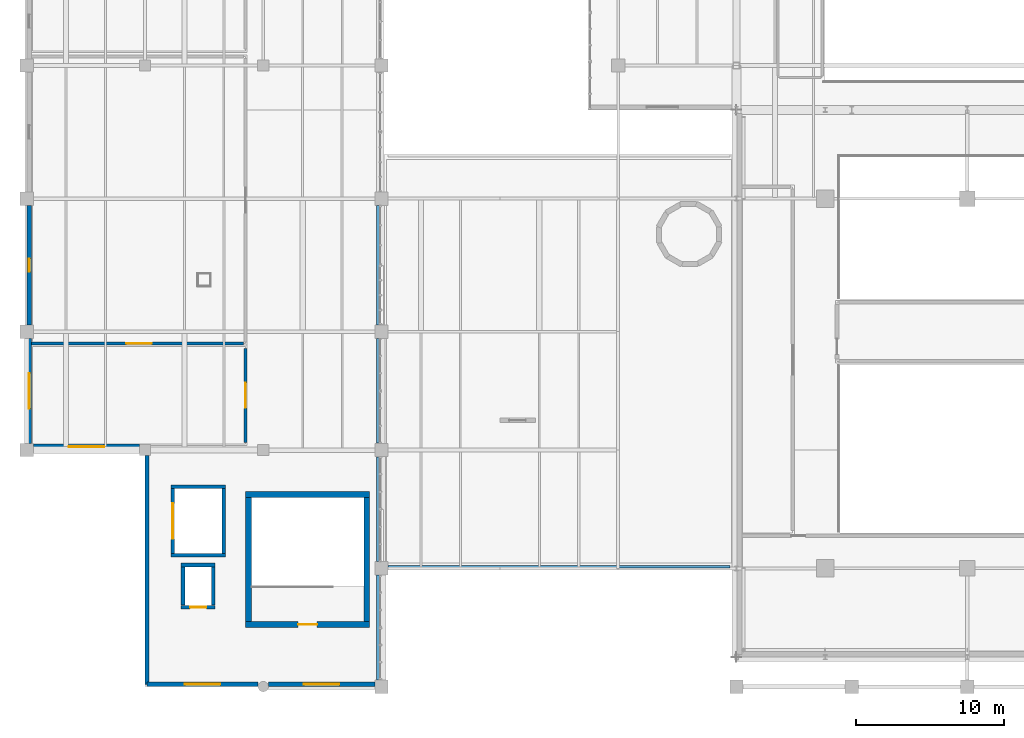
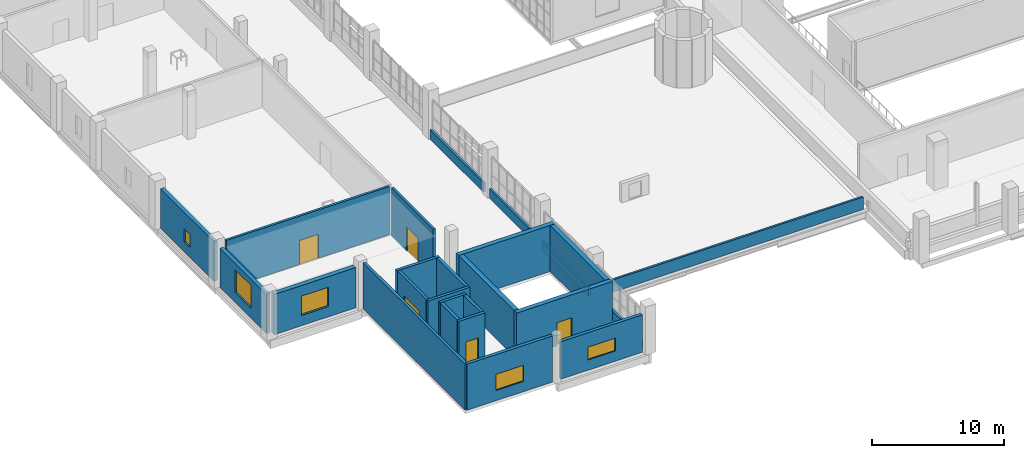
# One storey, part 73 of 85: 25 walls, 5 doors, 5 windows, 10 openings.
"""IFC4 building model written with IfcOpenShell, lengths in metres."""

from ifc_helpers import new_model, si_unit, derived_unit, direction, frame, frame_2d, origin, place, context, subcontext, project, spatial, rectangle, extrude, material, layer, layer_set, type_object, element, fill, save


model = new_model("IFC4")

# Units and contexts
model_context = context("Model", 3, precision=1e-05, world=origin(), true_north=direction((0.0, 1.0)))
body_context = subcontext(model_context, "Body", "Model", "MODEL_VIEW")
ifc_project = project(units=[si_unit("LENGTHUNIT", "METRE"), si_unit("AREAUNIT", "SQUARE_METRE"), si_unit("VOLUMEUNIT", "CUBIC_METRE"), si_unit("PLANEANGLEUNIT", "RADIAN"), si_unit("MASSUNIT", "GRAM", prefix="KILO"), derived_unit("THERMALTRANSMITTANCEUNIT", [(si_unit("POWERUNIT", "WATT"), 1), (si_unit("LENGTHUNIT", "METRE"), -2), (si_unit("THERMODYNAMICTEMPERATUREUNIT", "KELVIN"), -1)])], contexts=[model_context])

# Site, building, storey
site_placement = place(None, origin())
site = spatial("IfcSite", under=ifc_project, at=site_placement, CompositionType="ELEMENT")
building_placement = place(site_placement, origin())
building = spatial("IfcBuilding", under=site, at=building_placement, Name="Nallur Shell Playhouse", CompositionType="ELEMENT")
storey_placement = place(building_placement, frame((0.0, 0.0, 19.800048828125)))
storey = spatial("IfcBuildingStorey", under=building, at=storey_placement, Name="L05", CompositionType="ELEMENT", Elevation=19.800048828125)

# Wall, opening, door
ifc_material_1 = material(Name="Concrete M45", Category="concrete")
ifc_layer_1 = layer(ifc_material_1, 0.39990234375)
ifc_layer_set_1 = layer_set([ifc_layer_1], Name="Concrete M45")
wall_type_1 = type_object("IfcWallType", Name="WL-CORE-400", PredefinedType="SHEAR", material=ifc_layer_set_1)
wall_1_placement = place(storey_placement, frame((30.800048828125, 12.199951171875, 0.0), z_axis=(0.0, 0.0, 1.0), x_axis=(1.0, 0.0, 0.0)))
wall_1 = element("IfcWall", 1, at=wall_1_placement, inside=storey, type_object=wall_type_1, Name="Joint Core JC-1 shear wall S (L05)", PredefinedType="SHEAR", context=body_context, shape_type="SweptSolid", body=[
    extrude(rectangle(XDim=8.39990234375, YDim=0.39990234375, at=frame_2d((4.199951171875, 0.0))), origin(), (0.0, 0.0, 1.0), 4.280029296875),
])
opening_1_placement = place(wall_1_placement, frame((3.550048828125, 0.0, 0.0)))
opening_1 = element("IfcOpeningElement", 2, at=opening_1_placement, cuts=wall_1, Name="Opening FD-ST2", PredefinedType="OPENING", context=body_context, shape_type="SweptSolid", body=[
    extrude(rectangle(XDim=1.300048828125, YDim=2.14990234375, at=frame_2d((0.64990234375, 1.074951171875))), frame((0.0, 0.2099609375, 0.0), z_axis=(0.0, -1.0, 0.0), x_axis=(1.0, 0.0, 0.0)), (0.0, 0.0, 1.0), 0.419921875),
])
ifc_material_2 = material(Name="Galvanised Steel Fire-Rated Stair Door", Category="steel")
door_type_1 = type_object("IfcDoorType", Name="DR-INT-STAIR-R", OperationType="SINGLE_SWING_RIGHT", PredefinedType="DOOR", material=ifc_material_2)
door_1_placement = place(opening_1_placement, origin())
door_1 = element("IfcDoor", 3, at=door_1_placement, inside=storey, type_object=door_type_1, Name="Exit stair ST-01 fire door (L05)", OperationType="SINGLE_SWING_RIGHT", OverallHeight=2.14990234375, OverallWidth=1.300048828125, PredefinedType="DOOR", context=body_context, shape_type="SweptSolid", body=[
    extrude(rectangle(XDim=1.300048828125, YDim=2.14990234375, at=frame_2d((0.64990234375, 1.074951171875))), frame((0.0, 0.02490234375, 0.0), z_axis=(0.0, -1.0, 0.0), x_axis=(1.0, 0.0, 0.0)), (0.0, 0.0, 1.0), 0.050048828125),
])
fill(opening_1, door_1)

# Walls
wall_2_placement = place(storey_placement, frame((39.199951171875, 21.0, 0.0), z_axis=(0.0, 0.0, 1.0), x_axis=(-1.0, 0.0, 0.0)))
element("IfcWall", 4, at=wall_2_placement, inside=storey, type_object=wall_type_1, Name="Joint Core JC-1 shear wall N (L05)", PredefinedType="SHEAR", context=body_context, shape_type="SweptSolid", body=[
    extrude(rectangle(XDim=8.39990234375, YDim=0.39990234375, at=frame_2d((4.199951171875, 0.0))), origin(), (0.0, 0.0, 1.0), 4.280029296875),
])
for number, where, z_axis, x_axis, name in (
    (5, (39.0, 12.409912109375, 0.0), (0.0, 0.0, 1.0), (0.0, 1.0, 0.0), "Joint Core JC-1 shear wall E (L05)"),
    (6, (31.0, 20.7900390625, 0.0), (0.0, 0.0, 1.0), (0.0, -1.0, 0.0), "Joint Core JC-1 shear wall W (L05)"),
):
    element("IfcWall", number, at=place(storey_placement, frame(where, z_axis=z_axis, x_axis=x_axis)), inside=storey, type_object=wall_type_1, Name=name, PredefinedType="SHEAR", context=body_context, shape_type="SweptSolid", body=[
        extrude(rectangle(XDim=8.380126953125, YDim=0.39990234375, at=frame_2d((4.18994140625, 0.0))), origin(), (0.0, 0.0, 1.0), 4.280029296875),
    ])
ifc_material_3 = material(Name="Precast concrete M40", Category="concrete")
ifc_layer_2 = layer(ifc_material_3, 0.239990234375)
ifc_layer_set_2 = layer_set([ifc_layer_2], Name="Precast concrete M40")
wall_type_2 = type_object("IfcWallType", Name="WL-EXT-CLAD240", PredefinedType="ELEMENTEDWALL", material=ifc_layer_set_2)
wall_3_placement = place(storey_placement, frame((24.139892578125, 8.1298828125, 0.0), z_axis=(0.0, 0.0, 1.0), x_axis=(0.0, 1.0, 0.0)))
element("IfcWall", 7, at=wall_3_placement, inside=storey, type_object=wall_type_2, Name="L05 exterior wall EW-L05-229", PredefinedType="ELEMENTEDWALL", context=body_context, shape_type="SweptSolid", body=[
    extrude(rectangle(XDim=15.487060546875, YDim=0.239990234375, at=frame_2d((7.74365234375, 0.0))), origin(), (0.0, 0.0, 1.0), 4.280029296875),
])

# Wall, opening, window
ifc_material_4 = material(Name="Concrete M30", Category="concrete")
ifc_layer_3 = layer(ifc_material_4, 0.280029296875)
ifc_layer_set_3 = layer_set([ifc_layer_3], Name="Concrete M30")
wall_type_3 = type_object("IfcWallType", Name="WL-EXT-INS280", PredefinedType="STANDARD", material=ifc_layer_set_3)
wall_4_placement = place(storey_placement, frame((39.5419921875, 8.159912109375, 0.0), z_axis=(0.0, 0.0, 1.0), x_axis=(-1.0, 0.0, 0.0)))
wall_4 = element("IfcWall", 8, at=wall_4_placement, inside=storey, type_object=wall_type_3, Name="L05 exterior wall EW-L05-227", PredefinedType="STANDARD", context=body_context, shape_type="SweptSolid", body=[
    extrude(rectangle(XDim=7.18408203125, YDim=0.280029296875, at=frame_2d((3.592041015625, 0.0))), origin(), (0.0, 0.0, 1.0), 3.48486328125),
])
opening_2_placement = place(wall_4_placement, frame((2.39208984375, 0.0, 0.949951171875)))
opening_2 = element("IfcOpeningElement", 9, at=opening_2_placement, cuts=wall_4, Name="Opening WN-29", PredefinedType="OPENING", context=body_context, shape_type="SweptSolid", body=[
    extrude(rectangle(XDim=2.39990234375, YDim=1.199951171875, at=frame_2d((1.199951171875, 0.60009765625))), frame((0.0, 0.14990234375, 0.0), z_axis=(0.0, -1.0, 0.0), x_axis=(1.0, 0.0, 0.0)), (0.0, 0.0, 1.0), 0.300048828125),
])
ifc_material_5 = material(Name="Thermally Broken Aluminium Acoustic Double-Glazed Window", Category="aluminium")
window_type_1 = type_object("IfcWindowType", Name="WN-TYPE-29", PartitioningType="SINGLE_PANEL", PredefinedType="SKYLIGHT", material=ifc_material_5)
window_1_placement = place(opening_2_placement, origin())
window_1 = element("IfcWindow", 10, at=window_1_placement, inside=storey, type_object=window_type_1, Name="L05 facade module window 093", OverallHeight=1.199951171875, OverallWidth=2.39990234375, PartitioningType="SINGLE_PANEL", PredefinedType="SKYLIGHT", context=body_context, shape_type="SweptSolid", body=[
    extrude(rectangle(XDim=2.39990234375, YDim=1.199951171875, at=frame_2d((1.199951171875, 0.60009765625))), frame((0.0, 0.030029296875, 0.0), z_axis=(0.0, -1.0, 0.0), x_axis=(1.0, 0.0, 0.0)), (0.0, 0.0, 1.0), 0.06005859375),
])
fill(opening_2, window_1)

wall_5_placement = place(storey_placement, frame((31.64208984375, 8.159912109375, 0.0), z_axis=(0.0, 0.0, 1.0), x_axis=(-1.0, 0.0, 0.0)))
wall_5 = element("IfcWall", 11, at=wall_5_placement, inside=storey, type_object=wall_type_3, Name="L05 exterior wall EW-L05-228", PredefinedType="STANDARD", context=body_context, shape_type="SweptSolid", body=[
    extrude(rectangle(XDim=7.4921875, YDim=0.280029296875, at=frame_2d((3.74609375, 0.0))), origin(), (0.0, 0.0, 1.0), 4.280029296875),
])
opening_3_placement = place(wall_5_placement, frame((2.5458984375, 0.0, 0.949951171875)))
opening_3 = element("IfcOpeningElement", 12, at=opening_3_placement, cuts=wall_5, Name="Opening WN-30", PredefinedType="OPENING", context=body_context, shape_type="SweptSolid", body=[
    extrude(rectangle(XDim=2.39990234375, YDim=1.5, at=frame_2d((1.199951171875, 0.75))), frame((0.0, 0.14990234375, 0.0), z_axis=(0.0, -1.0, 0.0), x_axis=(1.0, 0.0, 0.0)), (0.0, 0.0, 1.0), 0.300048828125),
])
window_type_2 = type_object("IfcWindowType", Name="WN-TYPE-30", PartitioningType="SINGLE_PANEL", PredefinedType="SKYLIGHT", material=ifc_material_5)
window_2_placement = place(opening_3_placement, origin())
window_2 = element("IfcWindow", 13, at=window_2_placement, inside=storey, type_object=window_type_2, Name="L05 facade module window 094", OverallHeight=1.5, OverallWidth=2.39990234375, PartitioningType="SINGLE_PANEL", PredefinedType="SKYLIGHT", context=body_context, shape_type="SweptSolid", body=[
    extrude(rectangle(XDim=2.39990234375, YDim=1.5, at=frame_2d((1.199951171875, 0.75))), frame((0.0, 0.030029296875, 0.0), z_axis=(0.0, -1.0, 0.0), x_axis=(1.0, 0.0, 0.0)), (0.0, 0.0, 1.0), 0.06005859375),
])
fill(opening_3, window_2)

ifc_material_6 = material(Name="Concrete M35", Category="concrete")
ifc_layer_4 = layer(ifc_material_6, 0.320068359375)
ifc_layer_set_4 = layer_set([ifc_layer_4], Name="Concrete M35")
wall_type_4 = type_object("IfcWallType", Name="WL-EXT-RC320", PredefinedType="STANDARD", material=ifc_layer_set_4)
wall_6_placement = place(storey_placement, frame((16.179931640625, 24.4580078125, 0.0), z_axis=(0.0, 0.0, 1.0), x_axis=(0.0, 1.0, 0.0)))
wall_6 = element("IfcWall", 14, at=wall_6_placement, inside=storey, type_object=wall_type_4, Name="L05 exterior wall EW-L05-231", PredefinedType="STANDARD", context=body_context, shape_type="SweptSolid", body=[
    extrude(rectangle(XDim=7.083984375, YDim=0.320068359375, at=frame_2d((3.5419921875, 0.0))), origin(), (0.0, 0.0, 1.0), 3.635009765625),
])
opening_4_placement = place(wall_6_placement, frame((2.342041015625, 0.0, 0.949951171875)))
opening_4 = element("IfcOpeningElement", 15, at=opening_4_placement, cuts=wall_6, Name="Opening WN-32", PredefinedType="OPENING", context=body_context, shape_type="SweptSolid", body=[
    extrude(rectangle(XDim=2.39990234375, YDim=2.10009765625, at=frame_2d((1.199951171875, 1.050048828125))), frame((0.0, 0.169921875, 0.0), z_axis=(0.0, -1.0, 0.0), x_axis=(1.0, 0.0, 0.0)), (0.0, 0.0, 1.0), 0.340087890625),
])
window_type_3 = type_object("IfcWindowType", Name="WN-TYPE-32", PartitioningType="SINGLE_PANEL", PredefinedType="SKYLIGHT", material=ifc_material_5)
window_3_placement = place(opening_4_placement, origin())
window_3 = element("IfcWindow", 16, at=window_3_placement, inside=storey, type_object=window_type_3, Name="L05 facade module window 096", OverallHeight=2.10009765625, OverallWidth=2.39990234375, PartitioningType="SINGLE_PANEL", PredefinedType="SKYLIGHT", context=body_context, shape_type="SweptSolid", body=[
    extrude(rectangle(XDim=2.39990234375, YDim=2.10009765625, at=frame_2d((1.199951171875, 1.050048828125))), frame((0.0, 0.030029296875, 0.0), z_axis=(0.0, -1.0, 0.0), x_axis=(1.0, 0.0, 0.0)), (0.0, 0.0, 1.0), 0.06005859375),
])
fill(opening_4, window_3)

wall_7_placement = place(storey_placement, frame((16.179931640625, 32.4580078125, 0.0), z_axis=(0.0, 0.0, 1.0), x_axis=(0.0, 1.0, 0.0)))
wall_7 = element("IfcWall", 17, at=wall_7_placement, inside=storey, type_object=wall_type_4, Name="L05 exterior wall EW-L05-232", PredefinedType="STANDARD", context=body_context, shape_type="SweptSolid", body=[
    extrude(rectangle(XDim=8.083984375, YDim=0.320068359375, at=frame_2d((4.0419921875, 0.0))), origin(), (0.0, 0.0, 1.0), 3.68505859375),
])
opening_5_placement = place(wall_7_placement, frame((3.592041015625, 0.0, 0.949951171875)))
opening_5 = element("IfcOpeningElement", 18, at=opening_5_placement, cuts=wall_7, Name="Opening WN-01", PredefinedType="OPENING", context=body_context, shape_type="SweptSolid", body=[
    extrude(rectangle(XDim=0.89990234375, YDim=1.199951171875, at=frame_2d((0.449951171875, 0.60009765625))), frame((0.0, 0.169921875, 0.0), z_axis=(0.0, -1.0, 0.0), x_axis=(1.0, 0.0, 0.0)), (0.0, 0.0, 1.0), 0.340087890625),
])
window_type_4 = type_object("IfcWindowType", Name="WN-TYPE-01", PartitioningType="SINGLE_PANEL", PredefinedType="WINDOW", material=ifc_material_5)
window_4_placement = place(opening_5_placement, origin())
window_4 = element("IfcWindow", 19, at=window_4_placement, inside=storey, type_object=window_type_4, Name="L05 facade module window 097", OverallHeight=1.199951171875, OverallWidth=0.89990234375, PartitioningType="SINGLE_PANEL", PredefinedType="WINDOW", context=body_context, shape_type="SweptSolid", body=[
    extrude(rectangle(XDim=0.89990234375, YDim=1.199951171875, at=frame_2d((0.449951171875, 0.60009765625))), frame((0.0, 0.030029296875, 0.0), z_axis=(0.0, -1.0, 0.0), x_axis=(1.0, 0.0, 0.0)), (0.0, 0.0, 1.0), 0.06005859375),
])
fill(opening_5, window_4)

ifc_material_7 = material(Name="Concrete M40", Category="concrete")
ifc_layer_5 = layer(ifc_material_7, 0.39990234375)
ifc_layer_set_5 = layer_set([ifc_layer_5], Name="Concrete M40")
wall_type_5 = type_object("IfcWallType", Name="WL-EXT-RC400", PredefinedType="STANDARD", material=ifc_layer_set_5)
wall_8_placement = place(storey_placement, frame((23.616943359375, 24.219970703125, 0.0), z_axis=(0.0, 0.0, 1.0), x_axis=(-1.0, 0.0, 0.0)))
wall_8 = element("IfcWall", 20, at=wall_8_placement, inside=storey, type_object=wall_type_5, Name="L05 exterior wall EW-L05-230", PredefinedType="STANDARD", context=body_context, shape_type="SweptSolid", body=[
    extrude(rectangle(XDim=7.158935546875, YDim=0.39990234375, at=frame_2d((3.57958984375, 0.0))), origin(), (0.0, 0.0, 1.0), 3.73486328125),
])
opening_6_placement = place(wall_8_placement, frame((2.3798828125, 0.0, 0.949951171875)))
opening_6 = element("IfcOpeningElement", 21, at=opening_6_placement, cuts=wall_8, Name="Opening WN-31", PredefinedType="OPENING", context=body_context, shape_type="SweptSolid", body=[
    extrude(rectangle(XDim=2.39990234375, YDim=1.800048828125, at=frame_2d((1.199951171875, 0.89990234375))), frame((0.0, 0.2099609375, 0.0), z_axis=(0.0, -1.0, 0.0), x_axis=(1.0, 0.0, 0.0)), (0.0, 0.0, 1.0), 0.419921875),
])
window_type_5 = type_object("IfcWindowType", Name="WN-TYPE-31", PartitioningType="SINGLE_PANEL", PredefinedType="SKYLIGHT", material=ifc_material_5)
window_5_placement = place(opening_6_placement, origin())
window_5 = element("IfcWindow", 22, at=window_5_placement, inside=storey, type_object=window_type_5, Name="L05 facade module window 095", OverallHeight=1.800048828125, OverallWidth=2.39990234375, PartitioningType="SINGLE_PANEL", PredefinedType="SKYLIGHT", context=body_context, shape_type="SweptSolid", body=[
    extrude(rectangle(XDim=2.39990234375, YDim=1.800048828125, at=frame_2d((1.199951171875, 0.89990234375))), frame((0.0, 0.030029296875, 0.0), z_axis=(0.0, -1.0, 0.0), x_axis=(1.0, 0.0, 0.0)), (0.0, 0.0, 1.0), 0.06005859375),
])
fill(opening_6, window_5)

# Walls
ifc_layer_6 = layer(ifc_material_6, 0.179931640625)
ifc_layer_set_6 = layer_set([ifc_layer_6], Name="Concrete M35")
wall_type_6 = type_object("IfcWallType", Name="WL-PARAPET-180", PredefinedType="PARAPET", material=ifc_layer_set_6)
wall_9_placement = place(storey_placement, frame((39.760009765625, 40.5400390625, 0.0), z_axis=(0.0, 0.0, 1.0), x_axis=(0.0, -1.0, 0.0)))
element("IfcWall", 23, at=wall_9_placement, inside=storey, type_object=wall_type_6, Name="L05 curtain-wall internal spandrel upstand 071", PredefinedType="PARAPET", context=body_context, shape_type="SweptSolid", body=[
    extrude(rectangle(XDim=8.080078125, YDim=0.179931640625, at=frame_2d((4.0400390625, 0.0))), origin(), (0.0, 0.0, 1.0), 0.8798828125),
])
for number, where, z_axis, x_axis, name in (
    (24, (39.760009765625, 31.5400390625, 0.0), (0.0, 0.0, 1.0), (0.0, -1.0, 0.0), "L05 curtain-wall internal spandrel upstand 072"),
    (25, (39.760009765625, 23.5400390625, 0.0), (0.0, 0.0, 1.0), (0.0, -1.0, 0.0), "L05 curtain-wall internal spandrel upstand 073"),
    (26, (39.760009765625, 15.5400390625, 0.0), (0.0, 0.0, 1.0), (0.0, -1.0, 0.0), "L05 curtain-wall internal spandrel upstand 074"),
):
    element("IfcWall", number, at=place(storey_placement, frame(where, z_axis=z_axis, x_axis=x_axis)), inside=storey, type_object=wall_type_6, Name=name, PredefinedType="PARAPET", context=body_context, shape_type="SweptSolid", body=[
        extrude(rectangle(XDim=7.080078125, YDim=0.179931640625, at=frame_2d((3.5400390625, 0.0))), origin(), (0.0, 0.0, 1.0), 0.8798828125),
    ])
wall_10_placement = place(storey_placement, frame((63.550048828125, 16.110107421875, 0.0), z_axis=(0.0, 0.0, 1.0), x_axis=(-1.0, 0.0, 0.0)))
element("IfcWall", 27, at=wall_10_placement, inside=storey, type_object=wall_type_6, Name="L05 concrete roof parapet PAR-023", PredefinedType="PARAPET", context=body_context, shape_type="SweptSolid", body=[
    extrude(rectangle(XDim=23.10009765625, YDim=0.179931640625, at=frame_2d((11.550048828125, 0.0))), origin(), (0.0, 0.0, 1.0), 1.14990234375),
])

# Wall, opening, door
ifc_layer_7 = layer(ifc_material_4, 0.199951171875)
ifc_layer_set_7 = layer_set([ifc_layer_7], Name="Concrete M30")
wall_type_7 = type_object("IfcWallType", Name="WL-PART-AC200", PredefinedType="PARTITIONING", material=ifc_layer_set_7)
wall_11_placement = place(storey_placement, frame((30.679931640625, 31.199951171875, 0.0), z_axis=(0.0, 0.0, 1.0), x_axis=(-1.0, 0.0, 0.0)))
wall_11 = element("IfcWall", 28, at=wall_11_placement, inside=storey, type_object=wall_type_7, Name="Symphonic Orchestra Rehearsal Hall partition IW-L05-0358", PredefinedType="PARTITIONING", context=body_context, shape_type="SweptSolid", body=[
    extrude(rectangle(XDim=14.3359375, YDim=0.199951171875, at=frame_2d((7.16796875, 0.0))), origin(), (0.0, 0.0, 1.0), 4.5),
])
opening_7_placement = place(wall_11_placement, frame((6.22998046875, 0.0, 0.0)))
opening_7 = element("IfcOpeningElement", 29, at=opening_7_placement, cuts=wall_11, Name="Opening RD-01", PredefinedType="OPENING", context=body_context, shape_type="SweptSolid", body=[
    extrude(rectangle(XDim=1.699951171875, YDim=2.25, at=frame_2d((0.85009765625, 1.125))), frame((0.0, 0.10986328125, 0.0), z_axis=(0.0, -1.0, 0.0), x_axis=(1.0, 0.0, 0.0)), (0.0, 0.0, 1.0), 0.219970703125),
])
ifc_material_8 = material(Name="Rehearsal Hall Acoustic Double Door")
door_type_2 = type_object("IfcDoorType", Name="DR-INT-RHL-DBL", OperationType="DOUBLE_DOOR_SINGLE_SWING", PredefinedType="DOOR", material=ifc_material_8)
door_2_placement = place(opening_7_placement, origin())
door_2 = element("IfcDoor", 30, at=door_2_placement, inside=storey, type_object=door_type_2, Name="Symphonic Orchestra Rehearsal Hall door 2", OperationType="DOUBLE_DOOR_SINGLE_SWING", OverallHeight=2.25, OverallWidth=1.699951171875, PredefinedType="DOOR", context=body_context, shape_type="SweptSolid", body=[
    extrude(rectangle(XDim=1.699951171875, YDim=2.25, at=frame_2d((0.85009765625, 1.125))), frame((0.0, 0.02490234375, 0.0), z_axis=(0.0, -1.0, 0.0), x_axis=(1.0, 0.0, 0.0)), (0.0, 0.0, 1.0), 0.050048828125),
])
fill(opening_7, door_2)

wall_12_placement = place(storey_placement, frame((30.800048828125, 30.8798828125, 0.0), z_axis=(0.0, 0.0, 1.0), x_axis=(0.0, -1.0, 0.0)))
wall_12 = element("IfcWall", 31, at=wall_12_placement, inside=storey, type_object=wall_type_7, Name="Individual Acoustic Practice Studio 03 partition IW-L05-0365", PredefinedType="PARTITIONING", context=body_context, shape_type="SweptSolid", body=[
    extrude(rectangle(XDim=6.35986328125, YDim=0.199951171875, at=frame_2d((3.179931640625, 0.0))), origin(), (0.0, 0.0, 1.0), 4.5),
])
opening_8_placement = place(wall_12_placement, frame((2.330078125, 0.0, 0.0)))
opening_8 = element("IfcOpeningElement", 32, at=opening_8_placement, cuts=wall_12, Name="Opening RD-01", PredefinedType="OPENING", context=body_context, shape_type="SweptSolid", body=[
    extrude(rectangle(XDim=1.699951171875, YDim=2.25, at=frame_2d((0.85009765625, 1.125))), frame((0.0, 0.10986328125, 0.0), z_axis=(0.0, -1.0, 0.0), x_axis=(1.0, 0.0, 0.0)), (0.0, 0.0, 1.0), 0.219970703125),
])
door_3_placement = place(opening_8_placement, origin())
door_3 = element("IfcDoor", 33, at=door_3_placement, inside=storey, type_object=door_type_2, Name="Individual Acoustic Practice Studio 03 door 1", OperationType="DOUBLE_DOOR_SINGLE_SWING", OverallHeight=2.25, OverallWidth=1.699951171875, PredefinedType="DOOR", context=body_context, shape_type="SweptSolid", body=[
    extrude(rectangle(XDim=1.699951171875, YDim=2.25, at=frame_2d((0.85009765625, 1.125))), frame((0.0, 0.02490234375, 0.0), z_axis=(0.0, -1.0, 0.0), x_axis=(1.0, 0.0, 0.0)), (0.0, 0.0, 1.0), 0.050048828125),
])
fill(opening_8, door_3)

ifc_layer_8 = layer(ifc_material_1, 0.25)
ifc_layer_set_8 = layer_set([ifc_layer_8], Name="Concrete M45")
wall_type_8 = type_object("IfcWallType", Name="WL-SHAFT-250", PredefinedType="STANDARD", material=ifc_layer_set_8)
wall_13_placement = place(storey_placement, frame((26.449951171875, 13.375, 0.0), z_axis=(0.0, 0.0, 1.0), x_axis=(1.0, 0.0, 0.0)))
wall_13 = element("IfcWall", 34, at=wall_13_placement, inside=storey, type_object=wall_type_8, Name="Passenger Lift PL-1 shaft wall south (L05)", PredefinedType="STANDARD", context=body_context, shape_type="SweptSolid", body=[
    extrude(rectangle(XDim=2.300048828125, YDim=0.25, at=frame_2d((1.14990234375, 0.0))), origin(), (0.0, 0.0, 1.0), 4.27001953125),
])
opening_9_placement = place(wall_13_placement, frame((0.60009765625, 0.0, 0.0)))
opening_9 = element("IfcOpeningElement", 35, at=opening_9_placement, cuts=wall_13, Name="Opening LD-P1", PredefinedType="OPENING", context=body_context, shape_type="SweptSolid", body=[
    extrude(rectangle(XDim=1.10009765625, YDim=2.14990234375, at=frame_2d((0.550048828125, 1.074951171875))), frame((0.0, 0.135009765625, 0.0), z_axis=(0.0, -1.0, 0.0), x_axis=(1.0, 0.0, 0.0)), (0.0, 0.0, 1.0), 0.27001953125),
])
ifc_material_9 = material(Name="Brushed Stainless Steel Lift Landing Door", Category="steel")
door_type_3 = type_object("IfcDoorType", Name="DR-LIFT-PASS", OperationType="DOUBLE_DOOR_SLIDING", PredefinedType="DOOR", material=ifc_material_9)
door_4_placement = place(opening_9_placement, origin())
door_4 = element("IfcDoor", 36, at=door_4_placement, inside=storey, type_object=door_type_3, Name="Passenger Lift PL-1 sliding landing door (L05)", OperationType="DOUBLE_DOOR_SLIDING", OverallHeight=2.14990234375, OverallWidth=1.10009765625, PredefinedType="DOOR", context=body_context, shape_type="SweptSolid", body=[
    extrude(rectangle(XDim=1.10009765625, YDim=2.14990234375, at=frame_2d((0.550048828125, 1.074951171875))), frame((0.0, 0.02490234375, 0.0), z_axis=(0.0, -1.0, 0.0), x_axis=(1.0, 0.0, 0.0)), (0.0, 0.0, 1.0), 0.050048828125),
])
fill(opening_9, door_4)

# Walls
wall_14_placement = place(storey_placement, frame((28.75, 16.22509765625, 0.0), z_axis=(0.0, 0.0, 1.0), x_axis=(-1.0, 0.0, 0.0)))
element("IfcWall", 37, at=wall_14_placement, inside=storey, type_object=wall_type_8, Name="Passenger Lift PL-1 shaft wall north (L05)", PredefinedType="STANDARD", context=body_context, shape_type="SweptSolid", body=[
    extrude(rectangle(XDim=2.300048828125, YDim=0.25, at=frame_2d((1.14990234375, 0.0))), origin(), (0.0, 0.0, 1.0), 4.27001953125),
])
for number, where, z_axis, x_axis, name in (
    (38, (28.625, 13.510009765625, 0.0), (0.0, 0.0, 1.0), (0.0, 1.0, 0.0), "Passenger Lift PL-1 shaft wall east (L05)"),
    (39, (26.574951171875, 16.090087890625, 0.0), (0.0, 0.0, 1.0), (0.0, -1.0, 0.0), "Passenger Lift PL-1 shaft wall west (L05)"),
):
    element("IfcWall", number, at=place(storey_placement, frame(where, z_axis=z_axis, x_axis=x_axis)), inside=storey, type_object=wall_type_8, Name=name, PredefinedType="STANDARD", context=body_context, shape_type="SweptSolid", body=[
        extrude(rectangle(XDim=2.580078125, YDim=0.25, at=frame_2d((1.2900390625, 0.0))), origin(), (0.0, 0.0, 1.0), 4.27001953125),
    ])
for number, where, z_axis, x_axis, name in (
    (40, (25.75, 16.875, 0.0), (0.0, 0.0, 1.0), (1.0, 0.0, 0.0), "Scenery Freight Lift SL-1 shaft wall south (L05)"),
    (41, (29.449951171875, 21.52490234375, 0.0), (0.0, 0.0, 1.0), (-1.0, 0.0, 0.0), "Scenery Freight Lift SL-1 shaft wall north (L05)"),
):
    element("IfcWall", number, at=place(storey_placement, frame(where, z_axis=z_axis, x_axis=x_axis)), inside=storey, type_object=wall_type_8, Name=name, PredefinedType="STANDARD", context=body_context, shape_type="SweptSolid", body=[
        extrude(rectangle(XDim=3.699951171875, YDim=0.25, at=frame_2d((1.85009765625, 0.0))), origin(), (0.0, 0.0, 1.0), 4.27001953125),
    ])
wall_15_placement = place(storey_placement, frame((29.324951171875, 17.010009765625, 0.0), z_axis=(0.0, 0.0, 1.0), x_axis=(0.0, 1.0, 0.0)))
element("IfcWall", 42, at=wall_15_placement, inside=storey, type_object=wall_type_8, Name="Scenery Freight Lift SL-1 shaft wall east (L05)", PredefinedType="STANDARD", context=body_context, shape_type="SweptSolid", body=[
    extrude(rectangle(XDim=4.3798828125, YDim=0.25, at=frame_2d((2.18994140625, 0.0))), origin(), (0.0, 0.0, 1.0), 4.27001953125),
])

# Wall, opening, door
wall_16_placement = place(storey_placement, frame((25.875, 21.389892578125, 0.0), z_axis=(0.0, 0.0, 1.0), x_axis=(0.0, -1.0, 0.0)))
wall_16 = element("IfcWall", 43, at=wall_16_placement, inside=storey, type_object=wall_type_8, Name="Scenery Freight Lift SL-1 shaft wall west (L05)", PredefinedType="STANDARD", context=body_context, shape_type="SweptSolid", body=[
    extrude(rectangle(XDim=4.3798828125, YDim=0.25, at=frame_2d((2.18994140625, 0.0))), origin(), (0.0, 0.0, 1.0), 4.27001953125),
])
opening_10_placement = place(wall_16_placement, frame((0.989990234375, 0.0, 0.0)))
opening_10 = element("IfcOpeningElement", 44, at=opening_10_placement, cuts=wall_16, Name="Opening LD-S1", PredefinedType="OPENING", context=body_context, shape_type="SweptSolid", body=[
    extrude(rectangle(XDim=2.39990234375, YDim=2.550048828125, at=frame_2d((1.199951171875, 1.27490234375))), frame((0.0, 0.135009765625, 0.0), z_axis=(0.0, -1.0, 0.0), x_axis=(1.0, 0.0, 0.0)), (0.0, 0.0, 1.0), 0.27001953125),
])
ifc_material_10 = material(Name="Scenery Freight Lift Bi-Parting Landing Door")
door_type_4 = type_object("IfcDoorType", Name="DR-LIFT-SCEN", OperationType="DOUBLE_DOOR_SLIDING", PredefinedType="DOOR", material=ifc_material_10)
door_5_placement = place(opening_10_placement, origin())
door_5 = element("IfcDoor", 45, at=door_5_placement, inside=storey, type_object=door_type_4, Name="Scenery Freight Lift SL-1 sliding landing door (L05)", OperationType="DOUBLE_DOOR_SLIDING", OverallHeight=2.550048828125, OverallWidth=2.39990234375, PredefinedType="DOOR", context=body_context, shape_type="SweptSolid", body=[
    extrude(rectangle(XDim=2.39990234375, YDim=2.550048828125, at=frame_2d((1.199951171875, 1.27490234375))), frame((0.0, 0.02490234375, 0.0), z_axis=(0.0, -1.0, 0.0), x_axis=(1.0, 0.0, 0.0)), (0.0, 0.0, 1.0), 0.050048828125),
])
fill(opening_10, door_5)

save(model, "model.ifc")
